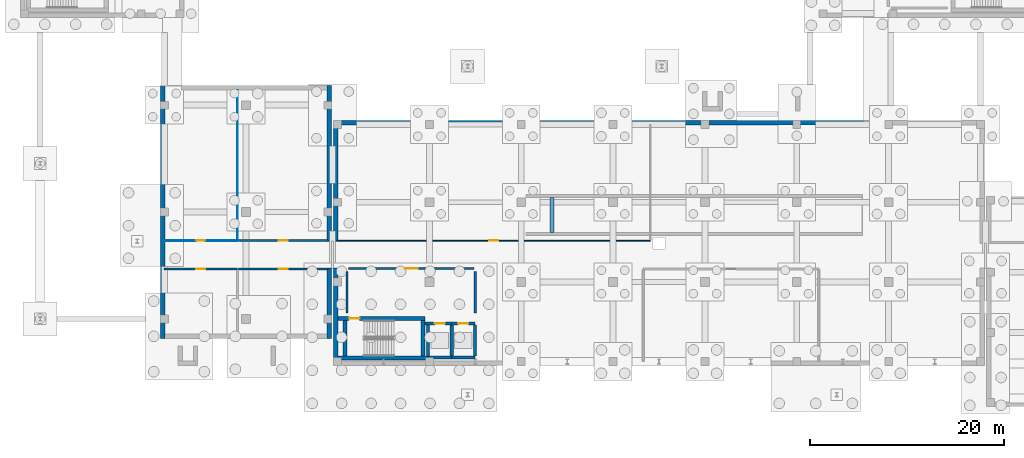
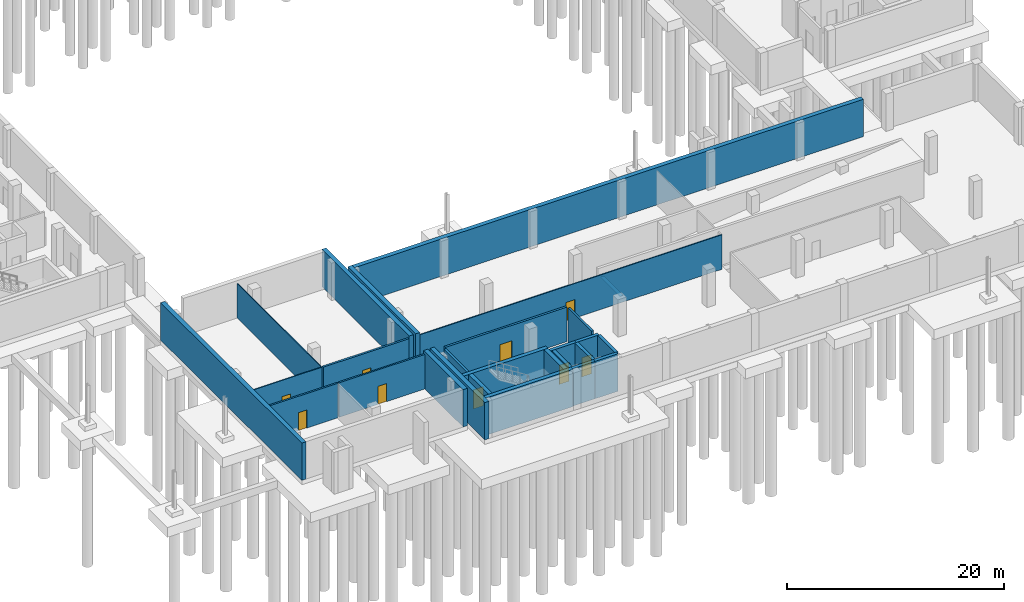
# One storey, part 15 of 31: 27 walls, 9 doors, 9 openings.
"""IFC4 building model written with IfcOpenShell, lengths in metres."""

from ifc_helpers import new_model, si_unit, direction, frame, frame_2d, origin, place, context, subcontext, project, spatial, rectangle, extrude, material, layer, layer_set, type_object, element, fill, save


model = new_model("IFC4")

# Units and contexts
model_context = context("Model", 3, precision=1e-05, world=origin(), true_north=direction((0.0, 1.0)))
body_context = subcontext(model_context, "Body", "Model", "MODEL_VIEW")
ifc_project = project(units=[si_unit("LENGTHUNIT", "METRE"), si_unit("AREAUNIT", "SQUARE_METRE"), si_unit("VOLUMEUNIT", "CUBIC_METRE"), si_unit("PLANEANGLEUNIT", "RADIAN"), si_unit("MASSUNIT", "GRAM", prefix="KILO")], contexts=[model_context])

# Site, building, storey
site_placement = place(None, origin())
site = spatial("IfcSite", under=ifc_project, at=site_placement, CompositionType="ELEMENT")
building_placement = place(site_placement, origin())
building = spatial("IfcBuilding", under=site, at=building_placement, Name="Qalavern Law Courts", CompositionType="ELEMENT")
storey_placement = place(building_placement, frame((0.0, 0.0, -8.39990234375)))
storey = spatial("IfcBuildingStorey", under=building, at=storey_placement, Name="B2", CompositionType="ELEMENT", Elevation=-8.39990234375)

# Walls
ifc_material_1 = material(Name="Concrete C40/50", Category="concrete")
ifc_layer_1 = layer(ifc_material_1, 0.39990234375)
ifc_layer_set_1 = layer_set([ifc_layer_1], Name="Concrete C40/50")
wall_type_1 = type_object("IfcWallType", Name="ENV-EW-400", PredefinedType="SOLIDWALL", material=ifc_layer_set_1)
wall_1_placement = place(storey_placement, frame((56.699951171875, 18.8798828125, 0.0), z_axis=(0.0, 0.0, 1.0), x_axis=(0.0, 1.0, 0.0)))
element("IfcWall", 1, at=wall_1_placement, inside=storey, type_object=wall_type_1, Name="Car Park Vehicle Ramp VG-01 Lower lower bearing sill", PredefinedType="SOLIDWALL", context=body_context, shape_type="SweptSolid", body=[
    extrude(rectangle(XDim=3.64013671875, YDim=0.39990234375, at=frame_2d((1.820068359375, 0.0))), origin(), (0.0, 0.0, 1.0), 0.02001953125),
])
ifc_material_2 = material(Name="Concrete C35/45", Category="concrete")
ifc_layer_2 = layer(ifc_material_2, 0.4599609375)
ifc_layer_set_2 = layer_set([ifc_layer_2], Name="Concrete C35/45")
wall_type_2 = type_object("IfcWallType", Name="ENV-EW-RET460", PredefinedType="SOLIDWALL", material=ifc_layer_set_2)
wall_2_placement = place(storey_placement, frame((33.77001953125, 8.0, 0.0), z_axis=(0.0, 0.0, 1.0), x_axis=(0.0, 1.0, 0.0)))
element("IfcWall", 2, at=wall_2_placement, inside=storey, type_object=wall_type_2, Name="V1 basement retaining wall B2 east", PredefinedType="SOLIDWALL", context=body_context, shape_type="SweptSolid", body=[
    extrude(rectangle(XDim=7.25, YDim=0.4599609375, at=frame_2d((3.625, 0.0))), origin(), (0.0, 0.0, 1.0), 4.199951171875),
])
wall_3_placement = place(storey_placement, frame((33.77001953125, 17.949951171875, 0.0), z_axis=(0.0, 0.0, 1.0), x_axis=(0.0, 1.0, 0.0)))
element("IfcWall", 3, at=wall_3_placement, inside=storey, type_object=wall_type_2, Name="V1 basement retaining wall B2 east", PredefinedType="SOLIDWALL", context=body_context, shape_type="SweptSolid", body=[
    extrude(rectangle(XDim=16.050048828125, YDim=0.4599609375, at=frame_2d((8.02490234375, 0.0))), origin(), (0.0, 0.0, 1.0), 4.199951171875),
])
wall_4_placement = place(storey_placement, frame((16.6298828125, 34.0, 0.0), z_axis=(0.0, 0.0, 1.0), x_axis=(0.0, -1.0, 0.0)))
element("IfcWall", 4, at=wall_4_placement, inside=storey, type_object=wall_type_2, Name="V1 basement retaining wall B2 west", PredefinedType="SOLIDWALL", context=body_context, shape_type="SweptSolid", body=[
    extrude(rectangle(XDim=26.0, YDim=0.4599609375, at=frame_2d((13.0, 0.0))), origin(), (0.0, 0.0, 1.0), 4.199951171875),
])
wall_5_placement = place(storey_placement, frame((88.75, 30.169921875, 0.0), z_axis=(0.0, 0.0, 1.0), x_axis=(-1.0, 0.0, 0.0)))
element("IfcWall", 5, at=wall_5_placement, inside=storey, type_object=wall_type_2, Name="V2 basement retaining wall B2 north", PredefinedType="SOLIDWALL", context=body_context, shape_type="SweptSolid", body=[
    extrude(rectangle(XDim=54.074951171875, YDim=0.4599609375, at=frame_2d((27.03759765625, 0.0))), origin(), (0.0, 0.0, 1.0), 4.199951171875),
])
wall_6_placement = place(storey_placement, frame((34.449951171875, 30.39990234375, 0.0), z_axis=(0.0, 0.0, 1.0), x_axis=(0.0, -1.0, 0.0)))
element("IfcWall", 6, at=wall_6_placement, inside=storey, type_object=wall_type_2, Name="V2 basement retaining wall B2 west", PredefinedType="SOLIDWALL", context=body_context, shape_type="SweptSolid", body=[
    extrude(rectangle(XDim=12.449951171875, YDim=0.4599609375, at=frame_2d((6.22509765625, 0.0))), origin(), (0.0, 0.0, 1.0), 4.199951171875),
])
wall_7_placement = place(storey_placement, frame((34.449951171875, 15.25, 0.0), z_axis=(0.0, 0.0, 1.0), x_axis=(0.0, -1.0, 0.0)))
element("IfcWall", 7, at=wall_7_placement, inside=storey, type_object=wall_type_2, Name="V2 basement retaining wall B2 west", PredefinedType="SOLIDWALL", context=body_context, shape_type="SweptSolid", body=[
    extrude(rectangle(XDim=10.050048828125, YDim=0.4599609375, at=frame_2d((5.02490234375, 0.0))), origin(), (0.0, 0.0, 1.0), 4.199951171875),
])
ifc_material_3 = material(Name="Concrete C45/55", Category="concrete")
ifc_layer_3 = layer(ifc_material_3, 0.4150390625)
ifc_layer_set_3 = layer_set([ifc_layer_3], Name="Concrete C45/55")
wall_type_3 = type_object("IfcWallType", Name="INT-CW-415", PredefinedType="SHEAR", material=ifc_layer_set_3)
wall_8_placement = place(storey_placement, frame((34.68310546875, 5.992431640625, 0.0), z_axis=(0.0, 0.0, 1.0), x_axis=(1.0, 0.0, 0.0)))
element("IfcWall", 8, at=wall_8_placement, inside=storey, type_object=wall_type_3, Name="Core K4 stair shear wall B2 south", PredefinedType="SHEAR", context=body_context, shape_type="SweptSolid", body=[
    extrude(rectangle(XDim=9.241455078125, YDim=0.4150390625, at=frame_2d((4.62060546875, 0.0))), origin(), (0.0, 0.0, 1.0), 4.199951171875),
])
wall_9_placement = place(storey_placement, frame((43.407470703125, 6.199951171875, 0.0), z_axis=(0.0, 0.0, 1.0), x_axis=(0.0, 1.0, 0.0)))
element("IfcWall", 9, at=wall_9_placement, inside=storey, type_object=wall_type_3, Name="Core K4 stair shear wall B2 east", PredefinedType="SHEAR", context=body_context, shape_type="SweptSolid", body=[
    extrude(rectangle(XDim=3.650146484375, YDim=0.4150390625, at=frame_2d((1.8251953125, 0.0))), origin(), (0.0, 0.0, 1.0), 4.199951171875),
])

# Wall, opening, door
wall_10_placement = place(storey_placement, frame((43.614990234375, 10.0576171875, 0.0), z_axis=(0.0, 0.0, 1.0), x_axis=(-1.0, 0.0, 0.0)))
wall_10 = element("IfcWall", 10, at=wall_10_placement, inside=storey, type_object=wall_type_3, Name="Core K4 stair shear wall B2 north", PredefinedType="SHEAR", context=body_context, shape_type="SweptSolid", body=[
    extrude(rectangle(XDim=8.931884765625, YDim=0.4150390625, at=frame_2d((4.4658203125, 0.0))), origin(), (0.0, 0.0, 1.0), 4.199951171875),
])
opening_1_placement = place(wall_10_placement, frame((6.715087890625, 0.0, 0.0)))
opening_1 = element("IfcOpeningElement", 11, at=opening_1_placement, cuts=wall_10, Name="Opening B2-D087", PredefinedType="OPENING", context=body_context, shape_type="SweptSolid", body=[
    extrude(rectangle(XDim=1.10009765625, YDim=2.14990234375, at=frame_2d((0.550048828125, 1.074951171875))), frame((0.0, 0.222412109375, 0.0), z_axis=(0.0, -1.0, 0.0), x_axis=(1.0, 0.0, 0.0)), (0.0, 0.0, 1.0), 0.44482421875),
])
ifc_material_4 = material(Name="Steel fire-rated stair enclosure door", Category="steel")
door_type_1 = type_object("IfcDoorType", Name="INT-FD-1100x2150", OperationType="NOTDEFINED", PredefinedType="DOOR", material=ifc_material_4)
door_1_placement = place(opening_1_placement, frame((1.10009765625, 0.0, 0.0), z_axis=(0.0, 0.0, 1.0), x_axis=(-1.0, 0.0, 0.0)))
door_1 = element("IfcDoor", 12, at=door_1_placement, inside=storey, type_object=door_type_1, Name="Stair K4 fire door B2", OperationType="SINGLE_SWING_RIGHT", OverallHeight=2.14990234375, OverallWidth=1.10009765625, PredefinedType="DOOR", context=body_context, shape_type="SweptSolid", body=[
    extrude(rectangle(XDim=1.10009765625, YDim=2.14990234375, at=frame_2d((0.550048828125, 1.074951171875))), frame((0.0, 0.02490234375, 0.0), z_axis=(0.0, -1.0, 0.0), x_axis=(1.0, 0.0, 0.0)), (0.0, 0.0, 1.0), 0.050048828125),
])
fill(opening_1, door_1)

# Wall
wall_11_placement = place(storey_placement, frame((35.392578125, 9.85009765625, 0.0), z_axis=(0.0, 0.0, 1.0), x_axis=(0.0, -1.0, 0.0)))
element("IfcWall", 13, at=wall_11_placement, inside=storey, type_object=wall_type_3, Name="Core K4 stair shear wall B2 west", PredefinedType="SHEAR", context=body_context, shape_type="SweptSolid", body=[
    extrude(rectangle(XDim=3.650146484375, YDim=0.4150390625, at=frame_2d((1.8251953125, 0.0))), origin(), (0.0, 0.0, 1.0), 4.199951171875),
])

# Wall, opening, door
ifc_layer_4 = layer(ifc_material_1, 0.22509765625)
ifc_layer_set_4 = layer_set([ifc_layer_4], Name="Concrete C40/50")
wall_type_4 = type_object("IfcWallType", Name="INT-FW-225", PredefinedType="PARTITIONING", material=ifc_layer_set_4)
wall_12_placement = place(storey_placement, frame((35.75, 15.199951171875, 0.0), z_axis=(0.0, 0.0, 1.0), x_axis=(1.0, 0.0, 0.0)))
wall_12 = element("IfcWall", 14, at=wall_12_placement, inside=storey, type_object=wall_type_4, Name="Core K4 firefighting/stair lobby fire wall B2", PredefinedType="PARTITIONING", context=body_context, shape_type="SweptSolid", body=[
    extrude(rectangle(XDim=12.89990234375, YDim=0.22509765625, at=frame_2d((6.449951171875, 0.0))), origin(), (0.0, 0.0, 1.0), 3.8798828125),
])
opening_2_placement = place(wall_12_placement, frame((5.800048828125, 0.0, 0.0)))
opening_2 = element("IfcOpeningElement", 15, at=opening_2_placement, cuts=wall_12, Name="Opening B2-D088", PredefinedType="OPENING", context=body_context, shape_type="SweptSolid", body=[
    extrude(rectangle(XDim=1.300048828125, YDim=2.14990234375, at=frame_2d((0.64990234375, 1.074951171875))), frame((0.0, 0.12744140625, 0.0), z_axis=(0.0, -1.0, 0.0), x_axis=(1.0, 0.0, 0.0)), (0.0, 0.0, 1.0), 0.2548828125),
])
ifc_material_5 = material(Name="Steel fire-rated frame and acoustic timber leaves", Category="steel")
door_type_2 = type_object("IfcDoorType", Name="INT-FD-1300x2150", OperationType="DOUBLE_DOOR_SINGLE_SWING", PredefinedType="DOOR", material=ifc_material_5)
door_2_placement = place(opening_2_placement, origin())
door_2 = element("IfcDoor", 16, at=door_2_placement, inside=storey, type_object=door_type_2, Name="Core K4 lobby fire door B2", OperationType="DOUBLE_DOOR_SINGLE_SWING", OverallHeight=2.14990234375, OverallWidth=1.300048828125, PredefinedType="DOOR", context=body_context, shape_type="SweptSolid", body=[
    extrude(rectangle(XDim=1.300048828125, YDim=2.14990234375, at=frame_2d((0.64990234375, 1.074951171875))), frame((0.0, 0.02490234375, 0.0), z_axis=(0.0, -1.0, 0.0), x_axis=(1.0, 0.0, 0.0)), (0.0, 0.0, 1.0), 0.050048828125),
])
fill(opening_2, door_2)

# Walls
for number, where, z_axis, x_axis, name in (
    (17, (35.60009765625, 10.60009765625, 0.0), (0.0, 0.0, 1.0), (0.0, 1.0, 0.0), "Core K4 lobby return wall B2 west"),
    (18, (48.800048828125, 10.60009765625, 0.0), (0.0, 0.0, 1.0), (0.0, 1.0, 0.0), "Core K4 lobby return wall B2 east"),
):
    element("IfcWall", number, at=place(storey_placement, frame(where, z_axis=z_axis, x_axis=x_axis)), inside=storey, type_object=wall_type_4, Name=name, PredefinedType="PARTITIONING", context=body_context, shape_type="SweptSolid", body=[
        extrude(rectangle(XDim=4.2998046875, YDim=0.22509765625, at=frame_2d((2.14990234375, 0.0))), origin(), (0.0, 0.0, 1.0), 3.8798828125),
    ])

# Wall, opening, door
ifc_material_6 = material(Name="Gypsum shaft/chase partition")
ifc_layer_5 = layer(ifc_material_6, 0.092041015625)
ifc_layer_set_5 = layer_set([ifc_layer_5], Name="Gypsum shaft/chase partition")
wall_type_5 = type_object("IfcWallType", Name="INT-PW-092", PredefinedType="PARTITIONING", material=ifc_layer_set_5)
wall_13_placement = place(storey_placement, frame((16.780029296875, 18.06005859375, 0.0), z_axis=(0.0, 0.0, 1.0), x_axis=(1.0, 0.0, 0.0)))
wall_13 = element("IfcWall", 19, at=wall_13_placement, inside=storey, type_object=wall_type_5, Name="Electrical Substation corridor partition B2", PredefinedType="PARTITIONING", context=body_context, shape_type="SweptSolid", body=[
    extrude(rectangle(XDim=7.534912109375, YDim=0.092041015625, at=frame_2d((3.767578125, 0.0))), origin(), (0.0, 0.0, 1.0), 3.8798828125),
])
opening_3_placement = place(wall_13_placement, frame((3.3125, 0.0, 0.0)))
opening_3 = element("IfcOpeningElement", 20, at=opening_3_placement, cuts=wall_13, Name="Opening B2-D117", PredefinedType="OPENING", context=body_context, shape_type="SweptSolid", body=[
    extrude(rectangle(XDim=0.909912109375, YDim=2.0400390625, at=frame_2d((0.455078125, 1.02001953125))), frame((0.0, 0.06103515625, 0.0), z_axis=(0.0, -1.0, 0.0), x_axis=(1.0, 0.0, 0.0)), (0.0, 0.0, 1.0), 0.121826171875),
])
ifc_material_7 = material(Name="Steel MEP Plant Room door", Category="steel")
door_type_3 = type_object("IfcDoorType", Name="INT-ID-910x2040", OperationType="NOTDEFINED", PredefinedType="DOOR", material=ifc_material_7)
door_3_placement = place(opening_3_placement, origin())
door_3 = element("IfcDoor", 21, at=door_3_placement, inside=storey, type_object=door_type_3, Name="Electrical Substation door B2", OperationType="SINGLE_SWING_RIGHT", OverallHeight=2.0400390625, OverallWidth=0.909912109375, PredefinedType="DOOR", context=body_context, shape_type="SweptSolid", body=[
    extrude(rectangle(XDim=0.909912109375, YDim=2.0400390625, at=frame_2d((0.455078125, 1.02001953125))), frame((0.0, 0.02490234375, 0.0), z_axis=(0.0, -1.0, 0.0), x_axis=(1.0, 0.0, 0.0)), (0.0, 0.0, 1.0), 0.050048828125),
])
fill(opening_3, door_3)

# Wall
wall_14_placement = place(storey_placement, frame((24.31494140625, 18.1259765625, 0.0), z_axis=(0.0, 0.0, 1.0), x_axis=(0.0, 1.0, 0.0)))
element("IfcWall", 22, at=wall_14_placement, inside=storey, type_object=wall_type_5, Name="Electrical Substation cross partition B2 east", PredefinedType="PARTITIONING", context=body_context, shape_type="SweptSolid", body=[
    extrude(rectangle(XDim=15.43408203125, YDim=0.092041015625, at=frame_2d((7.717041015625, 0.0))), origin(), (0.0, 0.0, 1.0), 3.8798828125),
])

# Wall, opening, door
ifc_material_8 = material(Name="Gypsum stud partition")
ifc_layer_6 = layer(ifc_material_8, 0.112060546875)
ifc_layer_set_6 = layer_set([ifc_layer_6], Name="Gypsum stud partition")
wall_type_6 = type_object("IfcWallType", Name="INT-PW-112", PredefinedType="PARTITIONING", material=ifc_layer_set_6)
wall_15_placement = place(storey_placement, frame((34.60009765625, 18.06005859375, 0.0), z_axis=(0.0, 0.0, 1.0), x_axis=(1.0, 0.0, 0.0)))
wall_15 = element("IfcWall", 23, at=wall_15_placement, inside=storey, type_object=wall_type_6, Name="Accessible WC corridor partition B2", PredefinedType="PARTITIONING", context=body_context, shape_type="SweptSolid", body=[
    extrude(rectangle(XDim=32.224853515625, YDim=0.112060546875, at=frame_2d((16.1123046875, 0.0))), origin(), (0.0, 0.0, 1.0), 3.8798828125),
])
opening_4_placement = place(wall_15_placement, frame((15.642578125, 0.0, 0.0)))
opening_4 = element("IfcOpeningElement", 24, at=opening_4_placement, cuts=wall_15, Name="Opening B2-D153", PredefinedType="OPENING", context=body_context, shape_type="SweptSolid", body=[
    extrude(rectangle(XDim=0.93994140625, YDim=2.070068359375, at=frame_2d((0.469970703125, 1.03515625))), frame((0.0, 0.07080078125, 0.0), z_axis=(0.0, -1.0, 0.0), x_axis=(1.0, 0.0, 0.0)), (0.0, 0.0, 1.0), 0.141845703125),
])
ifc_material_9 = material(Name="Accessible WC outward-clear door")
door_type_4 = type_object("IfcDoorType", Name="INT-ID-940x2070", OperationType="NOTDEFINED", PredefinedType="DOOR", material=ifc_material_9)
door_4_placement = place(opening_4_placement, origin())
door_4 = element("IfcDoor", 25, at=door_4_placement, inside=storey, type_object=door_type_4, Name="Accessible WC door B2", OperationType="SINGLE_SWING_RIGHT", OverallHeight=2.070068359375, OverallWidth=0.93994140625, PredefinedType="DOOR", context=body_context, shape_type="SweptSolid", body=[
    extrude(rectangle(XDim=0.93994140625, YDim=2.070068359375, at=frame_2d((0.469970703125, 1.03515625))), frame((0.0, 0.02490234375, 0.0), z_axis=(0.0, -1.0, 0.0), x_axis=(1.0, 0.0, 0.0)), (0.0, 0.0, 1.0), 0.050048828125),
])
fill(opening_4, door_4)

ifc_material_10 = material(Name="Gypsum acoustic stud partition")
ifc_layer_7 = layer(ifc_material_10, 0.174072265625)
ifc_layer_set_7 = layer_set([ifc_layer_7], Name="Gypsum acoustic stud partition")
wall_type_7 = type_object("IfcWallType", Name="INT-PW-174", PredefinedType="PARTITIONING", material=ifc_layer_set_7)
wall_16_placement = place(storey_placement, frame((24.43505859375, 15.139892578125, 0.0), z_axis=(0.0, 0.0, 1.0), x_axis=(1.0, 0.0, 0.0)))
wall_16 = element("IfcWall", 26, at=wall_16_placement, inside=storey, type_object=wall_type_7, Name="Sprinkler Reserve Tank Room corridor partition B2", PredefinedType="PARTITIONING", context=body_context, shape_type="SweptSolid", body=[
    extrude(rectangle(XDim=9.18505859375, YDim=0.174072265625, at=frame_2d((4.592529296875, 0.0))), origin(), (0.0, 0.0, 1.0), 3.8798828125),
])
opening_5_placement = place(wall_16_placement, frame((4.137451171875, 0.0, 0.0)))
opening_5 = element("IfcOpeningElement", 27, at=opening_5_placement, cuts=wall_16, Name="Opening B2-D116", PredefinedType="OPENING", context=body_context, shape_type="SweptSolid", body=[
    extrude(rectangle(XDim=0.909912109375, YDim=2.0400390625, at=frame_2d((0.455078125, 1.02001953125))), frame((0.0, 0.10205078125, 0.0), z_axis=(0.0, -1.0, 0.0), x_axis=(1.0, 0.0, 0.0)), (0.0, 0.0, 1.0), 0.203857421875),
])
door_5_placement = place(opening_5_placement, frame((0.909912109375, 0.0, 0.0), z_axis=(0.0, 0.0, 1.0), x_axis=(-1.0, 0.0, 0.0)))
door_5 = element("IfcDoor", 28, at=door_5_placement, inside=storey, type_object=door_type_3, Name="Sprinkler Reserve Tank Room door B2", OperationType="SINGLE_SWING_LEFT", OverallHeight=2.0400390625, OverallWidth=0.909912109375, PredefinedType="DOOR", context=body_context, shape_type="SweptSolid", body=[
    extrude(rectangle(XDim=0.909912109375, YDim=2.0400390625, at=frame_2d((0.455078125, 1.02001953125))), frame((0.0, 0.02490234375, 0.0), z_axis=(0.0, -1.0, 0.0), x_axis=(1.0, 0.0, 0.0)), (0.0, 0.0, 1.0), 0.050048828125),
])
fill(opening_5, door_5)

ifc_layer_8 = layer(ifc_material_10, 0.18603515625)
ifc_layer_set_8 = layer_set([ifc_layer_8], Name="Gypsum acoustic stud partition")
wall_type_8 = type_object("IfcWallType", Name="INT-PW-186", PredefinedType="PARTITIONING", material=ifc_layer_set_8)
wall_17_placement = place(storey_placement, frame((16.780029296875, 15.139892578125, 0.0), z_axis=(0.0, 0.0, 1.0), x_axis=(1.0, 0.0, 0.0)))
wall_17 = element("IfcWall", 29, at=wall_17_placement, inside=storey, type_object=wall_type_8, Name="Electrical Substation corridor partition B2", PredefinedType="PARTITIONING", context=body_context, shape_type="SweptSolid", body=[
    extrude(rectangle(XDim=7.534912109375, YDim=0.18603515625, at=frame_2d((3.767578125, 0.0))), origin(), (0.0, 0.0, 1.0), 3.8798828125),
])
opening_6_placement = place(wall_17_placement, frame((3.3125, 0.0, 0.0)))
opening_6 = element("IfcOpeningElement", 30, at=opening_6_placement, cuts=wall_17, Name="Opening B2-D115", PredefinedType="OPENING", context=body_context, shape_type="SweptSolid", body=[
    extrude(rectangle(XDim=0.909912109375, YDim=2.0400390625, at=frame_2d((0.455078125, 1.02001953125))), frame((0.0, 0.10791015625, 0.0), z_axis=(0.0, -1.0, 0.0), x_axis=(1.0, 0.0, 0.0)), (0.0, 0.0, 1.0), 0.2158203125),
])
door_6_placement = place(opening_6_placement, frame((0.909912109375, 0.0, 0.0), z_axis=(0.0, 0.0, 1.0), x_axis=(-1.0, 0.0, 0.0)))
door_6 = element("IfcDoor", 31, at=door_6_placement, inside=storey, type_object=door_type_3, Name="Electrical Substation door B2", OperationType="SINGLE_SWING_RIGHT", OverallHeight=2.0400390625, OverallWidth=0.909912109375, PredefinedType="DOOR", context=body_context, shape_type="SweptSolid", body=[
    extrude(rectangle(XDim=0.909912109375, YDim=2.0400390625, at=frame_2d((0.455078125, 1.02001953125))), frame((0.0, 0.02490234375, 0.0), z_axis=(0.0, -1.0, 0.0), x_axis=(1.0, 0.0, 0.0)), (0.0, 0.0, 1.0), 0.050048828125),
])
fill(opening_6, door_6)

ifc_material_11 = material(Name="Gypsum acoustic double-stud partition")
ifc_layer_9 = layer(ifc_material_11, 0.2119140625)
ifc_layer_set_9 = layer_set([ifc_layer_9], Name="Gypsum acoustic double-stud partition")
wall_type_9 = type_object("IfcWallType", Name="INT-PW-212", PredefinedType="PARTITIONING", material=ifc_layer_set_9)
wall_18_placement = place(storey_placement, frame((24.43505859375, 18.06005859375, 0.0), z_axis=(0.0, 0.0, 1.0), x_axis=(1.0, 0.0, 0.0)))
wall_18 = element("IfcWall", 32, at=wall_18_placement, inside=storey, type_object=wall_type_9, Name="Sprinkler Reserve Tank Room corridor partition B2", PredefinedType="PARTITIONING", context=body_context, shape_type="SweptSolid", body=[
    extrude(rectangle(XDim=9.18505859375, YDim=0.2119140625, at=frame_2d((4.592529296875, 0.0))), origin(), (0.0, 0.0, 1.0), 3.8798828125),
])
opening_7_placement = place(wall_18_placement, frame((4.137451171875, 0.0, 0.0)))
opening_7 = element("IfcOpeningElement", 33, at=opening_7_placement, cuts=wall_18, Name="Opening B2-D118", PredefinedType="OPENING", context=body_context, shape_type="SweptSolid", body=[
    extrude(rectangle(XDim=0.909912109375, YDim=2.0400390625, at=frame_2d((0.455078125, 1.02001953125))), frame((0.0, 0.120849609375, 0.0), z_axis=(0.0, -1.0, 0.0), x_axis=(1.0, 0.0, 0.0)), (0.0, 0.0, 1.0), 0.24169921875),
])
door_7_placement = place(opening_7_placement, origin())
door_7 = element("IfcDoor", 34, at=door_7_placement, inside=storey, type_object=door_type_3, Name="Sprinkler Reserve Tank Room door B2", OperationType="SINGLE_SWING_LEFT", OverallHeight=2.0400390625, OverallWidth=0.909912109375, PredefinedType="DOOR", context=body_context, shape_type="SweptSolid", body=[
    extrude(rectangle(XDim=0.909912109375, YDim=2.0400390625, at=frame_2d((0.455078125, 1.02001953125))), frame((0.0, 0.02490234375, 0.0), z_axis=(0.0, -1.0, 0.0), x_axis=(1.0, 0.0, 0.0)), (0.0, 0.0, 1.0), 0.050048828125),
])
fill(opening_7, door_7)

# Walls
ifc_layer_10 = layer(ifc_material_3, 0.344970703125)
ifc_layer_set_10 = layer_set([ifc_layer_10], Name="Concrete C45/55")
wall_type_10 = type_object("IfcWallType", Name="INT-SW-345", PredefinedType="SHEAR", material=ifc_layer_set_10)
wall_19_placement = place(storey_placement, frame((43.927490234375, 6.027587890625, 0.0), z_axis=(0.0, 0.0, 1.0), x_axis=(1.0, 0.0, 0.0)))
element("IfcWall", 35, at=wall_19_placement, inside=storey, type_object=wall_type_10, Name="Lift LF-P3 shaft wall B2 south", PredefinedType="SHEAR", context=body_context, shape_type="SweptSolid", body=[
    extrude(rectangle(XDim=2.445068359375, YDim=0.344970703125, at=frame_2d((1.22265625, 0.0))), origin(), (0.0, 0.0, 1.0), 4.199951171875),
])
wall_20_placement = place(storey_placement, frame((46.37255859375, 6.199951171875, 0.0), z_axis=(0.0, 0.0, 1.0), x_axis=(0.0, 1.0, 0.0)))
element("IfcWall", 36, at=wall_20_placement, inside=storey, type_object=wall_type_10, Name="Lift LF-P3 shaft wall B2 east", PredefinedType="SHEAR", context=body_context, shape_type="SweptSolid", body=[
    extrude(rectangle(XDim=3.150146484375, YDim=0.344970703125, at=frame_2d((1.5751953125, 0.0))), origin(), (0.0, 0.0, 1.0), 4.199951171875),
])

# Wall, opening, door
wall_21_placement = place(storey_placement, frame((46.37255859375, 9.5224609375, 0.0), z_axis=(0.0, 0.0, 1.0), x_axis=(-1.0, 0.0, 0.0)))
wall_21 = element("IfcWall", 37, at=wall_21_placement, inside=storey, type_object=wall_type_10, Name="Lift LF-P3 shaft wall B2 north", PredefinedType="SHEAR", context=body_context, shape_type="SweptSolid", body=[
    extrude(rectangle(XDim=2.754638671875, YDim=0.344970703125, at=frame_2d((1.37744140625, 0.0))), origin(), (0.0, 0.0, 1.0), 4.199951171875),
])
opening_8_placement = place(wall_21_placement, frame((0.697509765625, 0.0, 0.0)))
opening_8 = element("IfcOpeningElement", 38, at=opening_8_placement, cuts=wall_21, Name="Opening LD-LF-P3-B2", PredefinedType="OPENING", context=body_context, shape_type="SweptSolid", body=[
    extrude(rectangle(XDim=1.050048828125, YDim=2.14990234375, at=frame_2d((0.52490234375, 1.074951171875))), frame((0.0, 0.1875, 0.0), z_axis=(0.0, -1.0, 0.0), x_axis=(1.0, 0.0, 0.0)), (0.0, 0.0, 1.0), 0.374755859375),
])
ifc_material_12 = material(Name="Brushed stainless steel passenger lift sliding landing door", Category="steel")
door_type_5 = type_object("IfcDoorType", Name="INT-LD-1050x2150", OperationType="DOUBLE_DOOR_SLIDING", PredefinedType="DOOR", material=ifc_material_12)
door_8_placement = place(opening_8_placement, origin())
door_8 = element("IfcDoor", 39, at=door_8_placement, inside=storey, type_object=door_type_5, Name="Lift LF-P3 sliding landing door B2", OperationType="DOUBLE_DOOR_SLIDING", OverallHeight=2.14990234375, OverallWidth=1.050048828125, PredefinedType="DOOR", context=body_context, shape_type="SweptSolid", body=[
    extrude(rectangle(XDim=1.050048828125, YDim=2.14990234375, at=frame_2d((0.52490234375, 1.074951171875))), frame((0.0, 0.02490234375, 0.0), z_axis=(0.0, -1.0, 0.0), x_axis=(1.0, 0.0, 0.0)), (0.0, 0.0, 1.0), 0.050048828125),
])
fill(opening_8, door_8)

# Walls
wall_22_placement = place(storey_placement, frame((43.927490234375, 9.35009765625, 0.0), z_axis=(0.0, 0.0, 1.0), x_axis=(0.0, -1.0, 0.0)))
element("IfcWall", 40, at=wall_22_placement, inside=storey, type_object=wall_type_10, Name="Lift LF-P3 shaft wall B2 west", PredefinedType="SHEAR", context=body_context, shape_type="SweptSolid", body=[
    extrude(rectangle(XDim=3.150146484375, YDim=0.344970703125, at=frame_2d((1.5751953125, 0.0))), origin(), (0.0, 0.0, 1.0), 4.199951171875),
])
wall_23_placement = place(storey_placement, frame((46.327392578125, 6.027587890625, 0.0), z_axis=(0.0, 0.0, 1.0), x_axis=(1.0, 0.0, 0.0)))
element("IfcWall", 41, at=wall_23_placement, inside=storey, type_object=wall_type_10, Name="Lift LF-P4 shaft wall B2 south", PredefinedType="SHEAR", context=body_context, shape_type="SweptSolid", body=[
    extrude(rectangle(XDim=2.445068359375, YDim=0.344970703125, at=frame_2d((1.22265625, 0.0))), origin(), (0.0, 0.0, 1.0), 4.199951171875),
])
wall_24_placement = place(storey_placement, frame((48.7724609375, 6.199951171875, 0.0), z_axis=(0.0, 0.0, 1.0), x_axis=(0.0, 1.0, 0.0)))
element("IfcWall", 42, at=wall_24_placement, inside=storey, type_object=wall_type_10, Name="Lift LF-P4 shaft wall B2 east", PredefinedType="SHEAR", context=body_context, shape_type="SweptSolid", body=[
    extrude(rectangle(XDim=3.150146484375, YDim=0.344970703125, at=frame_2d((1.5751953125, 0.0))), origin(), (0.0, 0.0, 1.0), 4.199951171875),
])

# Wall, opening, door
wall_25_placement = place(storey_placement, frame((48.7724609375, 9.5224609375, 0.0), z_axis=(0.0, 0.0, 1.0), x_axis=(-1.0, 0.0, 0.0)))
wall_25 = element("IfcWall", 43, at=wall_25_placement, inside=storey, type_object=wall_type_10, Name="Lift LF-P4 shaft wall B2 north", PredefinedType="SHEAR", context=body_context, shape_type="SweptSolid", body=[
    extrude(rectangle(XDim=2.445068359375, YDim=0.344970703125, at=frame_2d((1.22265625, 0.0))), origin(), (0.0, 0.0, 1.0), 4.199951171875),
])
opening_9_placement = place(wall_25_placement, frame((0.697509765625, 0.0, 0.0)))
opening_9 = element("IfcOpeningElement", 44, at=opening_9_placement, cuts=wall_25, Name="Opening LD-LF-P4-B2", PredefinedType="OPENING", context=body_context, shape_type="SweptSolid", body=[
    extrude(rectangle(XDim=1.050048828125, YDim=2.14990234375, at=frame_2d((0.52490234375, 1.074951171875))), frame((0.0, 0.1875, 0.0), z_axis=(0.0, -1.0, 0.0), x_axis=(1.0, 0.0, 0.0)), (0.0, 0.0, 1.0), 0.374755859375),
])
door_9_placement = place(opening_9_placement, origin())
door_9 = element("IfcDoor", 45, at=door_9_placement, inside=storey, type_object=door_type_5, Name="Lift LF-P4 sliding landing door B2", OperationType="DOUBLE_DOOR_SLIDING", OverallHeight=2.14990234375, OverallWidth=1.050048828125, PredefinedType="DOOR", context=body_context, shape_type="SweptSolid", body=[
    extrude(rectangle(XDim=1.050048828125, YDim=2.14990234375, at=frame_2d((0.52490234375, 1.074951171875))), frame((0.0, 0.02490234375, 0.0), z_axis=(0.0, -1.0, 0.0), x_axis=(1.0, 0.0, 0.0)), (0.0, 0.0, 1.0), 0.050048828125),
])
fill(opening_9, door_9)

save(model, "model.ifc")
